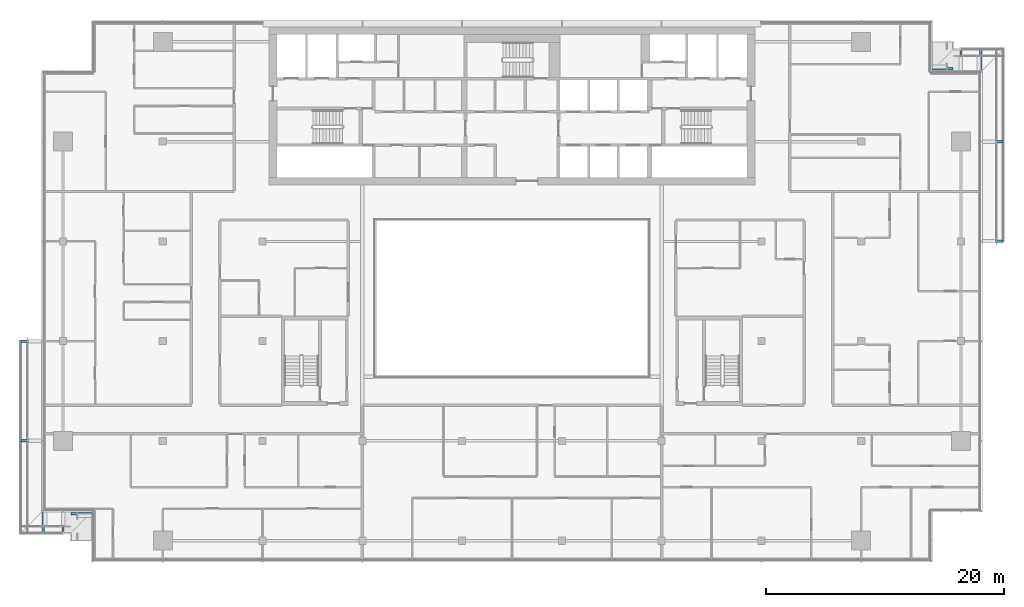
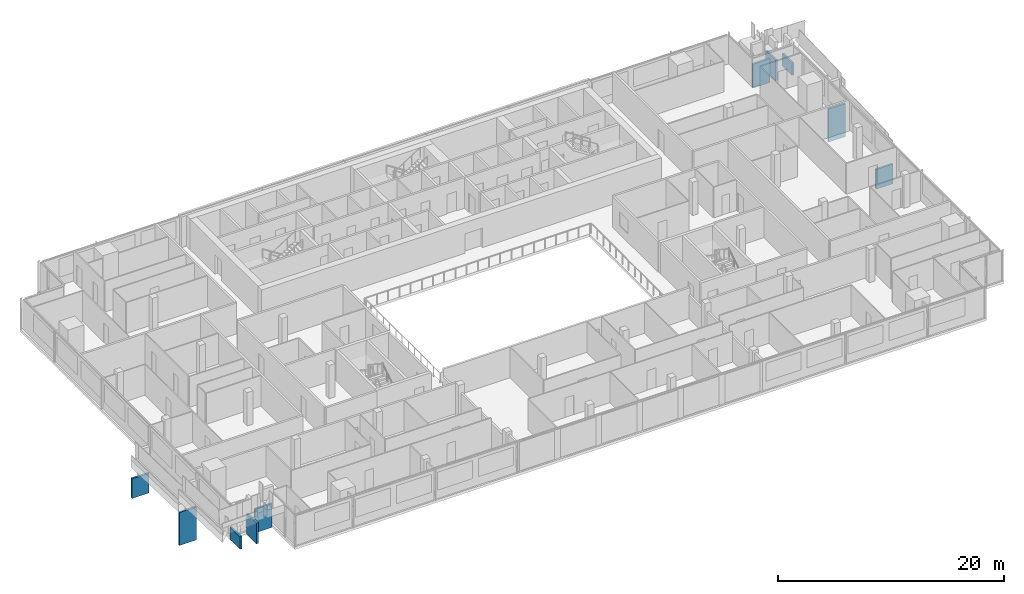
# One storey, part 25 of 30: 10 discrete accessories.
"""IFC4 building model written with IfcOpenShell, lengths in metres."""

import ifcopenshell
import ifcopenshell.guid

model = None  # the IFC model being written
_history = None  # IfcOwnerHistory: only IFC2X3 demands one
_inside = {}  # id of a spatial element -> (the spatial element, [elements in it])
_under = {}  # id of a project, library or spatial element -> (it, [spatial elements below it])
_declared = {}  # id of a project -> (the project, [libraries it declares])
_typed = {}  # id of a type object -> (the type object, [elements of that type])
_made_of = {}  # id of a material, layer set ... -> (it, [elements and type objects made of it])


def new_model(schema):
    """Start an empty IFC model of exactly this schema.

    Asked for "IFC4X3", IfcOpenShell would pick the latest addendum, in which some entities
    have other attributes; the version numbers below select the first issue.
    IFC2X3 requires an IfcOwnerHistory on every rooted entity: one is made here for all.
    """
    global model, _history
    if schema == "IFC4X3":
        model = ifcopenshell.file(schema_version=(4, 3, 0, 0))
    else:
        model = ifcopenshell.file(schema=schema)
    _inside.clear()
    _under.clear()
    _declared.clear()
    _typed.clear()
    _made_of.clear()
    _history = None
    if model.schema == "IFC2X3":
        org = make("IfcOrganization", Name="unknown")
        user = make(
            "IfcPersonAndOrganization",
            ThePerson=make("IfcPerson", FamilyName="unknown"),
            TheOrganization=org,
        )
        app = make(
            "IfcApplication",
            ApplicationDeveloper=org,
            Version="unknown",
            ApplicationFullName="unknown",
            ApplicationIdentifier="unknown",
        )
        _history = make(
            "IfcOwnerHistory",
            OwningUser=user,
            OwningApplication=app,
            ChangeAction="ADDED",
            CreationDate=0,
        )
    return model


def make(cls, **values):
    """One entity of the class cls with the attributes given. An attribute that is None is left unset."""
    return model.create_entity(
        cls, **{name: value for name, value in values.items() if value is not None}
    )


def rooted(cls, **values):
    """An entity with a GlobalId (a new one), such as an element, a storey or a relation."""
    return make(cls, GlobalId=ifcopenshell.guid.new(), OwnerHistory=_history, **values)


def si_unit(unit_type, name, prefix=None):
    """IfcSIUnit, for example si_unit("LENGTHUNIT", "METRE", prefix="MILLI")."""
    return make("IfcSIUnit", UnitType=unit_type, Prefix=prefix, Name=name)


def assignment(units):
    """IfcUnitAssignment: the units of a project."""
    return None if units is None else make("IfcUnitAssignment", Units=units)


def point(xyz):
    """IfcCartesianPoint."""
    return None if xyz is None else make("IfcCartesianPoint", Coordinates=xyz)


def direction(xyz):
    """IfcDirection."""
    return None if xyz is None else make("IfcDirection", DirectionRatios=xyz)


def frame(location, z_axis=None, x_axis=None):
    """IfcAxis2Placement3D, a coordinate frame: its origin and axes. An axis left out is left unset."""
    return make(
        "IfcAxis2Placement3D",
        Location=point(location),
        Axis=direction(z_axis),
        RefDirection=direction(x_axis),
    )


def frame_2d(location, x_axis=None):
    """IfcAxis2Placement2D, a coordinate frame in the plane: its origin and x axis."""
    return make(
        "IfcAxis2Placement2D", Location=point(location), RefDirection=direction(x_axis)
    )


def origin():
    """The frame at (0, 0, 0) with its axes left unset."""
    return frame((0.0, 0.0, 0.0))


def origin_2d():
    """The frame at (0, 0) in the plane with its x axis left unset."""
    return frame_2d((0.0, 0.0))


def place(relative_to, where):
    """IfcLocalPlacement: puts the frame where relative to a parent placement (None: the world)."""
    return make(
        "IfcLocalPlacement", PlacementRelTo=relative_to, RelativePlacement=where
    )


def context(
    kind, dimensions, precision=None, world=None, true_north=None, identifier=None
):
    """IfcGeometricRepresentationContext, for example the 3D "Model" context."""
    return make(
        "IfcGeometricRepresentationContext",
        ContextIdentifier=identifier,
        ContextType=kind,
        CoordinateSpaceDimension=dimensions,
        Precision=precision,
        WorldCoordinateSystem=world,
        TrueNorth=true_north,
    )


def subcontext(parent, identifier, kind, view, scale=None):
    """IfcGeometricRepresentationSubContext, for example "Body" below "Model"."""
    return make(
        "IfcGeometricRepresentationSubContext",
        ContextIdentifier=identifier,
        ContextType=kind,
        ParentContext=parent,
        TargetScale=scale,
        TargetView=view,
    )


def project(units=None, contexts=None):
    """IfcProject with its units and contexts."""
    return rooted(
        "IfcProject",
        Name="project",
        RepresentationContexts=contexts,
        UnitsInContext=assignment(units),
    )


def spatial(cls, under=None, at=None, **own):
    """A site, building, storey or space (cls), placed at a placement, below another one or the project."""
    s = rooted(cls, ObjectPlacement=at, **own)
    if under is not None:
        _under.setdefault(under.id(), (under, []))[1].append(s)
    return s


def profile(cls, at=None, kind="AREA", **sizes):
    """A parametric profile (cls). Its sizes go by their IFC names, for example OverallWidth=200.0."""
    return make(cls, ProfileType=kind, Position=at, **sizes)


def rectangle(**sizes):
    """IfcRectangleProfileDef."""
    return profile("IfcRectangleProfileDef", **sizes)


def extrude(swept, where, along, depth):
    """IfcExtrudedAreaSolid: the profile swept, set in the frame where, extruded along a direction by depth."""
    return make(
        "IfcExtrudedAreaSolid",
        SweptArea=swept,
        Position=where,
        ExtrudedDirection=direction(along),
        Depth=depth,
    )


def shape(context_of_items, identifier, shape_type, items):
    """IfcShapeRepresentation: the items that make up one representation, for example the "Body"."""
    return make(
        "IfcShapeRepresentation",
        ContextOfItems=context_of_items,
        RepresentationIdentifier=identifier,
        RepresentationType=shape_type,
        Items=items,
    )


def made_of(thing, what):
    """Note that an element or type object is made of a material, layer set ...; save() writes the relation."""
    if what is not None:
        _made_of.setdefault(what.id(), (what, []))[1].append(thing)
    return thing


def element(
    cls,
    number,
    at=None,
    inside=None,
    cuts=None,
    type_object=None,
    material=None,
    context=None,
    identifier="Body",
    shape_type=None,
    held_by="IfcProductDefinitionShape",
    body=None,
    shapes=None,
    **own,
):
    """One element of the class cls, such as IfcWall. Its Tag is "e" and its number.

    at: its placement. inside: the storey or other place that contains it. cuts: it is an
    opening in that element (IfcRelVoidsElement). A single representation is given by context,
    identifier, shape_type and body (its items); several are given by shapes. held_by: the class
    of the entity that holds the representations. save() writes the other relations.
    """
    e = rooted(cls, Tag="e%d" % number, ObjectPlacement=at, **own)
    if body is not None:
        shapes = [shape(context, identifier, shape_type, body)]
    if shapes is not None:
        e.Representation = make(held_by, Representations=shapes)
    if inside is not None:
        _inside.setdefault(inside.id(), (inside, []))[1].append(e)
    if cuts is not None:
        rooted(
            "IfcRelVoidsElement", RelatingBuildingElement=cuts, RelatedOpeningElement=e
        )
    if type_object is not None:
        _typed.setdefault(type_object.id(), (type_object, []))[1].append(e)
    return made_of(e, material)


def aggregate(whole, parts):
    """IfcRelAggregates: a whole, such as a stair, and the parts it consists of."""
    return rooted("IfcRelAggregates", RelatingObject=whole, RelatedObjects=parts)


def save(model, path):
    """Write the relations noted so far, then the file.

    IfcRelAggregates (storeys below a building ...), IfcRelContainedInSpatialStructure (elements
    in a storey), IfcRelDefinesByType, IfcRelAssociatesMaterial and IfcRelDeclares: one each for
    every whole, place, type object, material and project.
    """
    for whole, parts in _under.values():
        aggregate(whole, parts)
    for where, things in _inside.values():
        rooted(
            "IfcRelContainedInSpatialStructure",
            RelatedElements=things,
            RelatingStructure=where,
        )
    for kind, things in _typed.values():
        rooted("IfcRelDefinesByType", RelatedObjects=things, RelatingType=kind)
    for what, things in _made_of.values():
        rooted("IfcRelAssociatesMaterial", RelatedObjects=things, RelatingMaterial=what)
    for by, libraries in _declared.values():
        rooted("IfcRelDeclares", RelatingContext=by, RelatedDefinitions=libraries)
    model.write(path)


model = new_model("IFC4")

# Units and contexts
model_context = context("Model", 3, precision=1e-05, world=origin(), true_north=direction((0.0, 1.0)))
body_context = subcontext(model_context, "Body", "Model", "MODEL_VIEW")
ifc_project = project(units=[si_unit("LENGTHUNIT", "METRE"), si_unit("AREAUNIT", "SQUARE_METRE"), si_unit("VOLUMEUNIT", "CUBIC_METRE"), si_unit("PLANEANGLEUNIT", "RADIAN"), si_unit("MASSUNIT", "GRAM", prefix="KILO")], contexts=[model_context])

# Site, building, storey
site_placement = place(None, origin())
site = spatial("IfcSite", under=ifc_project, at=site_placement, CompositionType="ELEMENT")
building_placement = place(site_placement, origin())
building = spatial("IfcBuilding", under=site, at=building_placement, Name="Saffron Gate Tower", CompositionType="ELEMENT")
storey_placement = place(building_placement, frame((0.0, 0.0, 245.10009765625)))
storey = spatial("IfcBuildingStorey", under=building, at=storey_placement, Name="L60", CompositionType="ELEMENT", Elevation=245.10009765625)

# Discrete accessories
discrete_accessory_1_placement = place(storey_placement, frame((47.125, 48.60009765625, -3.8798828125), z_axis=(0.0, 0.0, 1.0), x_axis=(0.0, -1.0, 0.0)))
element("IfcDiscreteAccessory", 1, at=discrete_accessory_1_placement, inside=storey, Name="LEDGE rib", PredefinedType="BRACKET", context=body_context, shape_type="SweptSolid", body=[
    extrude(rectangle(XDim=0.199951171875, YDim=1.75, at=origin_2d()), origin(), (0.0, 0.0, 1.0), 2.122802734375),
])
discrete_accessory_2_placement = place(storey_placement, frame((47.125, 40.199951171875, -3.88037109375), z_axis=(0.0, 0.0, 1.0), x_axis=(0.0, -1.0, 0.0)))
element("IfcDiscreteAccessory", 2, at=discrete_accessory_2_placement, inside=storey, Name="LEDGE rib", PredefinedType="BRACKET", context=body_context, shape_type="SweptSolid", body=[
    extrude(rectangle(XDim=0.199951171875, YDim=1.75, at=origin_2d()), origin(), (0.0, 0.0, 1.0), 3.565185546875),
])
discrete_accessory_3_placement = place(storey_placement, frame((48.1201171875, 33.324951171875, -0.280029296875), z_axis=(0.0, 0.0, 1.0), x_axis=(1.0, 0.0, 0.0)))
element("IfcDiscreteAccessory", 3, at=discrete_accessory_3_placement, inside=storey, Name="LEDGE rib", PredefinedType="BRACKET", context=body_context, shape_type="SweptSolid", body=[
    extrude(rectangle(XDim=0.199951171875, YDim=1.75, at=origin_2d()), origin(), (0.0, 0.0, 1.0), 1.33837890625),
])
discrete_accessory_4_placement = place(storey_placement, frame((49.800048828125, 33.324951171875, -0.280029296875), z_axis=(0.0, 0.0, 1.0), x_axis=(1.0, 0.0, 0.0)))
element("IfcDiscreteAccessory", 4, at=discrete_accessory_4_placement, inside=storey, Name="LEDGE rib", PredefinedType="BRACKET", context=body_context, shape_type="SweptSolid", body=[
    extrude(rectangle(XDim=0.199951171875, YDim=1.75, at=origin_2d()), origin(), (0.0, 0.0, 1.0), 2.24755859375),
])
discrete_accessory_5_placement = place(storey_placement, frame((51.324951171875, 34.080078125, -0.2802734375), z_axis=(0.0, 0.0, 1.0), x_axis=(0.0, -1.0, 0.0)))
element("IfcDiscreteAccessory", 5, at=discrete_accessory_5_placement, inside=storey, Name="LEDGE rib", PredefinedType="BRACKET", context=body_context, shape_type="SweptSolid", body=[
    extrude(rectangle(XDim=0.199951171875, YDim=1.75, at=origin_2d()), origin(), (0.0, 0.0, 1.0), 2.573974609375),
])
discrete_accessory_6_placement = place(storey_placement, frame((128.074951171875, 57.0, -3.8798828125), z_axis=(0.0, 0.0, 1.0), x_axis=(0.0, 1.0, 0.0)))
element("IfcDiscreteAccessory", 6, at=discrete_accessory_6_placement, inside=storey, Name="LEDGE rib", PredefinedType="BRACKET", context=body_context, shape_type="SweptSolid", body=[
    extrude(rectangle(XDim=0.199951171875, YDim=1.75, at=origin_2d()), origin(), (0.0, 0.0, 1.0), 2.122802734375),
])
discrete_accessory_7_placement = place(storey_placement, frame((128.074951171875, 65.39990234375, -3.88037109375), z_axis=(0.0, 0.0, 1.0), x_axis=(0.0, 1.0, 0.0)))
element("IfcDiscreteAccessory", 7, at=discrete_accessory_7_placement, inside=storey, Name="LEDGE rib", PredefinedType="BRACKET", context=body_context, shape_type="SweptSolid", body=[
    extrude(rectangle(XDim=0.199951171875, YDim=1.75, at=origin_2d()), origin(), (0.0, 0.0, 1.0), 3.565185546875),
])
discrete_accessory_8_placement = place(storey_placement, frame((127.080078125, 72.27490234375, -0.280029296875), z_axis=(0.0, 0.0, 1.0), x_axis=(-1.0, 0.0, 0.0)))
element("IfcDiscreteAccessory", 8, at=discrete_accessory_8_placement, inside=storey, Name="LEDGE rib", PredefinedType="BRACKET", context=body_context, shape_type="SweptSolid", body=[
    extrude(rectangle(XDim=0.199951171875, YDim=1.75, at=origin_2d()), origin(), (0.0, 0.0, 1.0), 1.33837890625),
])
discrete_accessory_9_placement = place(storey_placement, frame((125.39990234375, 72.27490234375, -0.280029296875), z_axis=(0.0, 0.0, 1.0), x_axis=(-1.0, 0.0, 0.0)))
element("IfcDiscreteAccessory", 9, at=discrete_accessory_9_placement, inside=storey, Name="LEDGE rib", PredefinedType="BRACKET", context=body_context, shape_type="SweptSolid", body=[
    extrude(rectangle(XDim=0.199951171875, YDim=1.75, at=origin_2d()), origin(), (0.0, 0.0, 1.0), 2.24755859375),
])
discrete_accessory_10_placement = place(storey_placement, frame((123.875, 71.52001953125, -0.2802734375), z_axis=(0.0, 0.0, 1.0), x_axis=(0.0, 1.0, 0.0)))
element("IfcDiscreteAccessory", 10, at=discrete_accessory_10_placement, inside=storey, Name="LEDGE rib", PredefinedType="BRACKET", context=body_context, shape_type="SweptSolid", body=[
    extrude(rectangle(XDim=0.199951171875, YDim=1.75, at=origin_2d()), origin(), (0.0, 0.0, 1.0), 2.573974609375),
])

save(model, "model.ifc")
